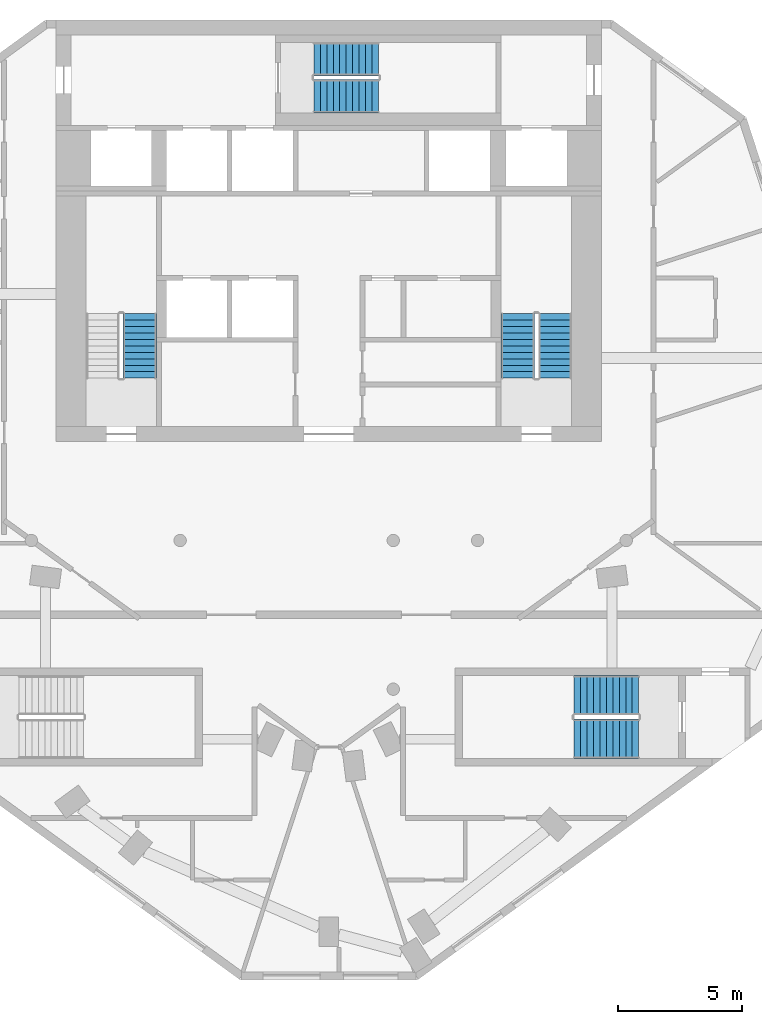
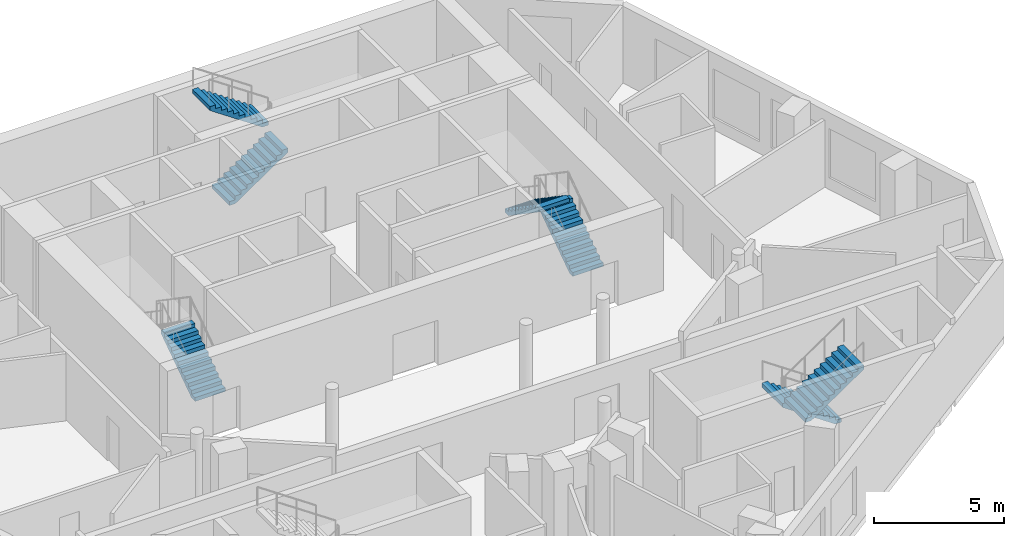
# One storey, part 6 of 8: 7 stair flights, 4 elements without a shape of their own.
"""IFC4 building model written with IfcOpenShell, lengths in metres."""

from ifc_helpers import new_model, si_unit, direction, frame, origin, place, context, subcontext, project, spatial, polyline, outline, extrude, material, layer, layer_set, type_object, element, aggregate, save


model = new_model("IFC4")

# Units and contexts
model_context = context("Model", 3, precision=1e-05, world=origin(), true_north=direction((0.0, 1.0)))
body_context = subcontext(model_context, "Body", "Model", "MODEL_VIEW")
ifc_project = project(units=[si_unit("LENGTHUNIT", "METRE"), si_unit("AREAUNIT", "SQUARE_METRE"), si_unit("VOLUMEUNIT", "CUBIC_METRE"), si_unit("PLANEANGLEUNIT", "RADIAN"), si_unit("MASSUNIT", "GRAM", prefix="KILO")], contexts=[model_context])

# Site, building, storey
site_placement = place(None, origin())
site = spatial("IfcSite", under=ifc_project, at=site_placement, CompositionType="ELEMENT")
building_placement = place(site_placement, origin())
building = spatial("IfcBuilding", under=site, at=building_placement, Name="White Candle Pilgrim Tower", CompositionType="ELEMENT")
storey_placement = place(building_placement, frame((0.0, 0.0, 313.89990234375)))
storey = spatial("IfcBuildingStorey", under=building, at=storey_placement, Name="L74", CompositionType="ELEMENT", Elevation=313.89990234375)

# Stair, stair flight
ifc_material = material(Name="Concrete C40/50", Category="concrete")
stair_type_1 = type_object("IfcStairType", Name="Exit stair 1 flight width 1350 mm", PredefinedType="HALF_TURN_STAIR", material=ifc_material)
stair_1_placement = place(storey_placement, origin())
stair_1 = element("IfcStair", 1, at=stair_1_placement, inside=storey, type_object=stair_type_1, Name="L74 stair 1", PredefinedType="NOTDEFINED")
ifc_layer = layer(ifc_material, 0.14990234375)
ifc_layer_set = layer_set([ifc_layer], Name="Stair flight Concrete C40/50")
stair_flight_type = type_object("IfcStairFlightType", Name="Stair flight Concrete C40/50", PredefinedType="STRAIGHT", material=ifc_layer_set)
stair_flight_1_placement = place(storey_placement, frame((62.375, 73.550048828125, 0.0), z_axis=(0.0, 0.0, 1.0), x_axis=(0.0, 1.0, 0.0)))
stair_flight_1 = element("IfcStairFlight", 2, at=stair_flight_1_placement, type_object=stair_flight_type, Name="ST1 flight 1", NumberOfRisers=11, NumberOfTreads=10, PredefinedType="NOTDEFINED", RiserHeight=0.177272727, TreadLength=0.26, context=body_context, shape_type="SweptSolid", body=[
    extrude(outline(polyline([(0.0, 0.0), (0.0, 0.17724609375), (0.260009765625, 0.17724609375), (0.260009765625, 0.3544921875), (0.52001953125, 0.3544921875), (0.52001953125, 0.53173828125), (0.780029296875, 0.53173828125), (0.780029296875, 0.708984375), (1.0400390625, 0.708984375), (1.0400390625, 0.886474609375), (1.300048828125, 0.886474609375), (1.300048828125, 1.063720703125), (1.56005859375, 1.063720703125), (1.56005859375, 1.240966796875), (1.820068359375, 1.240966796875), (1.820068359375, 1.418212890625), (2.080078125, 1.418212890625), (2.080078125, 1.595458984375), (2.340087890625, 1.595458984375), (2.340087890625, 1.772705078125), (2.60009765625, 1.772705078125), (2.60009765625, 1.949951171875), (2.60009765625, 1.59130859375), (0.26611328125, 0.0), (0.0, 0.0)])), frame((0.0, 0.675048828125, 0.0), z_axis=(0.0, -1.0, 0.0), x_axis=(1.0, 0.0, 0.0)), (0.0, 0.0, 1.0), 1.35009765625),
])
aggregate(stair_1, [stair_flight_1])

# Stair, stair flights
stair_type_2 = type_object("IfcStairType", Name="Exit stair 2 flight width 1350 mm", PredefinedType="HALF_TURN_STAIR", material=ifc_material)
stair_2_placement = place(storey_placement, origin())
stair_2 = element("IfcStair", 3, at=stair_2_placement, inside=storey, type_object=stair_type_2, Name="L74 stair 2", PredefinedType="NOTDEFINED")
stair_flight_2_placement = place(storey_placement, frame((79.125, 73.550048828125, 0.0), z_axis=(0.0, 0.0, 1.0), x_axis=(0.0, 1.0, 0.0)))
stair_flight_2 = element("IfcStairFlight", 4, at=stair_flight_2_placement, type_object=stair_flight_type, Name="ST2 flight 1", NumberOfRisers=11, NumberOfTreads=10, PredefinedType="NOTDEFINED", RiserHeight=0.177272727, TreadLength=0.26, context=body_context, shape_type="SweptSolid", body=[
    extrude(outline(polyline([(0.0, 0.0), (0.0, 0.17724609375), (0.260009765625, 0.17724609375), (0.260009765625, 0.3544921875), (0.52001953125, 0.3544921875), (0.52001953125, 0.53173828125), (0.780029296875, 0.53173828125), (0.780029296875, 0.708984375), (1.0400390625, 0.708984375), (1.0400390625, 0.886474609375), (1.300048828125, 0.886474609375), (1.300048828125, 1.063720703125), (1.56005859375, 1.063720703125), (1.56005859375, 1.240966796875), (1.820068359375, 1.240966796875), (1.820068359375, 1.418212890625), (2.080078125, 1.418212890625), (2.080078125, 1.595458984375), (2.340087890625, 1.595458984375), (2.340087890625, 1.772705078125), (2.60009765625, 1.772705078125), (2.60009765625, 1.949951171875), (2.60009765625, 1.59130859375), (0.26611328125, 0.0), (0.0, 0.0)])), frame((0.0, 0.675048828125, 0.0), z_axis=(0.0, -1.0, 0.0), x_axis=(1.0, 0.0, 0.0)), (0.0, 0.0, 1.0), 1.35009765625),
])
stair_flight_3_placement = place(storey_placement, frame((77.625, 76.14990234375, 1.9501953125), z_axis=(0.0, 0.0, 1.0), x_axis=(0.0, -1.0, 0.0)))
stair_flight_3 = element("IfcStairFlight", 5, at=stair_flight_3_placement, type_object=stair_flight_type, Name="ST2 flight 2", NumberOfRisers=11, NumberOfTreads=10, PredefinedType="NOTDEFINED", RiserHeight=0.177272727, TreadLength=0.26, context=body_context, shape_type="SweptSolid", body=[
    extrude(outline(polyline([(0.0, 0.0), (0.0, 0.17724609375), (0.260009765625, 0.17724609375), (0.260009765625, 0.3544921875), (0.52001953125, 0.3544921875), (0.52001953125, 0.53173828125), (0.780029296875, 0.53173828125), (0.780029296875, 0.708984375), (1.0400390625, 0.708984375), (1.0400390625, 0.886474609375), (1.300048828125, 0.886474609375), (1.300048828125, 1.063720703125), (1.56005859375, 1.063720703125), (1.56005859375, 1.240966796875), (1.820068359375, 1.240966796875), (1.820068359375, 1.418212890625), (2.080078125, 1.418212890625), (2.080078125, 1.595458984375), (2.340087890625, 1.595458984375), (2.340087890625, 1.772705078125), (2.60009765625, 1.772705078125), (2.60009765625, 1.949951171875), (2.60009765625, 1.59130859375), (0.26611328125, 0.0), (0.0, 0.0)])), frame((0.0, 0.675048828125, 0.0), z_axis=(0.0, -1.0, 0.0), x_axis=(1.0, 0.0, 0.0)), (0.0, 0.0, 1.0), 1.35009765625),
])
aggregate(stair_2, [stair_flight_2, stair_flight_3])

stair_type_3 = type_object("IfcStairType", Name="Exit stair 3 flight width 1350 mm", PredefinedType="HALF_TURN_STAIR", material=ifc_material)
stair_3_placement = place(storey_placement, origin())
stair_3 = element("IfcStair", 6, at=stair_3_placement, inside=storey, type_object=stair_type_3, Name="L74 stair 3", PredefinedType="NOTDEFINED")
stair_flight_4_placement = place(storey_placement, frame((69.39990234375, 84.925048828125, 0.0), z_axis=(0.0, 0.0, 1.0), x_axis=(1.0, 0.0, 0.0)))
stair_flight_4 = element("IfcStairFlight", 7, at=stair_flight_4_placement, type_object=stair_flight_type, Name="ST3 flight 1", NumberOfRisers=11, NumberOfTreads=10, PredefinedType="NOTDEFINED", RiserHeight=0.177272727, TreadLength=0.26, context=body_context, shape_type="SweptSolid", body=[
    extrude(outline(polyline([(0.0, 0.0), (0.0, 0.17724609375), (0.260009765625, 0.17724609375), (0.260009765625, 0.3544921875), (0.52001953125, 0.3544921875), (0.52001953125, 0.53173828125), (0.780029296875, 0.53173828125), (0.780029296875, 0.708984375), (1.0400390625, 0.708984375), (1.0400390625, 0.886474609375), (1.300048828125, 0.886474609375), (1.300048828125, 1.063720703125), (1.56005859375, 1.063720703125), (1.56005859375, 1.240966796875), (1.820068359375, 1.240966796875), (1.820068359375, 1.418212890625), (2.080078125, 1.418212890625), (2.080078125, 1.595458984375), (2.340087890625, 1.595458984375), (2.340087890625, 1.772705078125), (2.60009765625, 1.772705078125), (2.60009765625, 1.949951171875), (2.60009765625, 1.59130859375), (0.26611328125, 0.0), (0.0, 0.0)])), frame((0.0, 0.675048828125, 0.0), z_axis=(0.0, -1.0, 0.0), x_axis=(1.0, 0.0, 0.0)), (0.0, 0.0, 1.0), 1.35009765625),
])
stair_flight_5_placement = place(storey_placement, frame((72.0, 86.425048828125, 1.9501953125), z_axis=(0.0, 0.0, 1.0), x_axis=(-1.0, 0.0, 0.0)))
stair_flight_5 = element("IfcStairFlight", 8, at=stair_flight_5_placement, type_object=stair_flight_type, Name="ST3 flight 2", NumberOfRisers=11, NumberOfTreads=10, PredefinedType="NOTDEFINED", RiserHeight=0.177272727, TreadLength=0.26, context=body_context, shape_type="SweptSolid", body=[
    extrude(outline(polyline([(0.0, 0.0), (0.0, 0.17724609375), (0.260009765625, 0.17724609375), (0.260009765625, 0.3544921875), (0.52001953125, 0.3544921875), (0.52001953125, 0.53173828125), (0.780029296875, 0.53173828125), (0.780029296875, 0.708984375), (1.0400390625, 0.708984375), (1.0400390625, 0.886474609375), (1.300048828125, 0.886474609375), (1.300048828125, 1.063720703125), (1.56005859375, 1.063720703125), (1.56005859375, 1.240966796875), (1.820068359375, 1.240966796875), (1.820068359375, 1.418212890625), (2.080078125, 1.418212890625), (2.080078125, 1.595458984375), (2.340087890625, 1.595458984375), (2.340087890625, 1.772705078125), (2.60009765625, 1.772705078125), (2.60009765625, 1.949951171875), (2.60009765625, 1.59130859375), (0.26611328125, 0.0), (0.0, 0.0)])), frame((0.0, 0.675048828125, 0.0), z_axis=(0.0, -1.0, 0.0), x_axis=(1.0, 0.0, 0.0)), (0.0, 0.0, 1.0), 1.35009765625),
])
aggregate(stair_3, [stair_flight_4, stair_flight_5])

stair_type_4 = type_object("IfcStairType", Name="Exit stair 4 flight width 1600 mm", PredefinedType="HALF_TURN_STAIR", material=ifc_material)
stair_4_placement = place(storey_placement, origin())
stair_4 = element("IfcStair", 9, at=stair_4_placement, inside=storey, type_object=stair_type_4, Name="L74 stair 4", PredefinedType="NOTDEFINED")
stair_flight_6_placement = place(storey_placement, frame((82.5, 60.75, 0.0), z_axis=(0.0, 0.0, 1.0), x_axis=(-1.0, 0.0, 0.0)))
stair_flight_6 = element("IfcStairFlight", 10, at=stair_flight_6_placement, type_object=stair_flight_type, Name="ST4 flight 1", NumberOfRisers=11, NumberOfTreads=10, PredefinedType="NOTDEFINED", RiserHeight=0.177272727, TreadLength=0.26, context=body_context, shape_type="SweptSolid", body=[
    extrude(outline(polyline([(0.0, 0.0), (0.0, 0.17724609375), (0.260009765625, 0.17724609375), (0.260009765625, 0.3544921875), (0.52001953125, 0.3544921875), (0.52001953125, 0.53173828125), (0.780029296875, 0.53173828125), (0.780029296875, 0.708984375), (1.0400390625, 0.708984375), (1.0400390625, 0.886474609375), (1.300048828125, 0.886474609375), (1.300048828125, 1.063720703125), (1.56005859375, 1.063720703125), (1.56005859375, 1.240966796875), (1.820068359375, 1.240966796875), (1.820068359375, 1.418212890625), (2.080078125, 1.418212890625), (2.080078125, 1.595458984375), (2.340087890625, 1.595458984375), (2.340087890625, 1.772705078125), (2.60009765625, 1.772705078125), (2.60009765625, 1.949951171875), (2.60009765625, 1.59130859375), (0.26611328125, 0.0), (0.0, 0.0)])), frame((0.0, 0.800048828125, 0.0), z_axis=(0.0, -1.0, 0.0), x_axis=(1.0, 0.0, 0.0)), (0.0, 0.0, 1.0), 1.60009765625),
])
stair_flight_7_placement = place(storey_placement, frame((79.89990234375, 59.0, 1.9501953125), z_axis=(0.0, 0.0, 1.0), x_axis=(1.0, 0.0, 0.0)))
stair_flight_7 = element("IfcStairFlight", 11, at=stair_flight_7_placement, type_object=stair_flight_type, Name="ST4 flight 2", NumberOfRisers=11, NumberOfTreads=10, PredefinedType="NOTDEFINED", RiserHeight=0.177272727, TreadLength=0.26, context=body_context, shape_type="SweptSolid", body=[
    extrude(outline(polyline([(0.0, 0.0), (0.0, 0.17724609375), (0.260009765625, 0.17724609375), (0.260009765625, 0.3544921875), (0.52001953125, 0.3544921875), (0.52001953125, 0.53173828125), (0.780029296875, 0.53173828125), (0.780029296875, 0.708984375), (1.0400390625, 0.708984375), (1.0400390625, 0.886474609375), (1.300048828125, 0.886474609375), (1.300048828125, 1.063720703125), (1.56005859375, 1.063720703125), (1.56005859375, 1.240966796875), (1.820068359375, 1.240966796875), (1.820068359375, 1.418212890625), (2.080078125, 1.418212890625), (2.080078125, 1.595458984375), (2.340087890625, 1.595458984375), (2.340087890625, 1.772705078125), (2.60009765625, 1.772705078125), (2.60009765625, 1.949951171875), (2.60009765625, 1.59130859375), (0.26611328125, 0.0), (0.0, 0.0)])), frame((0.0, 0.800048828125, 0.0), z_axis=(0.0, -1.0, 0.0), x_axis=(1.0, 0.0, 0.0)), (0.0, 0.0, 1.0), 1.60009765625),
])
aggregate(stair_4, [stair_flight_6, stair_flight_7])

save(model, "model.ifc")
